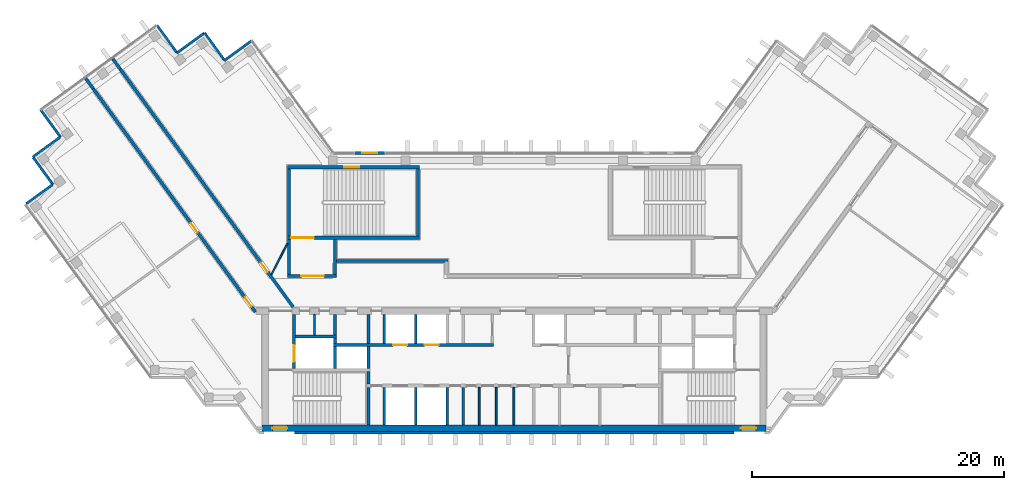
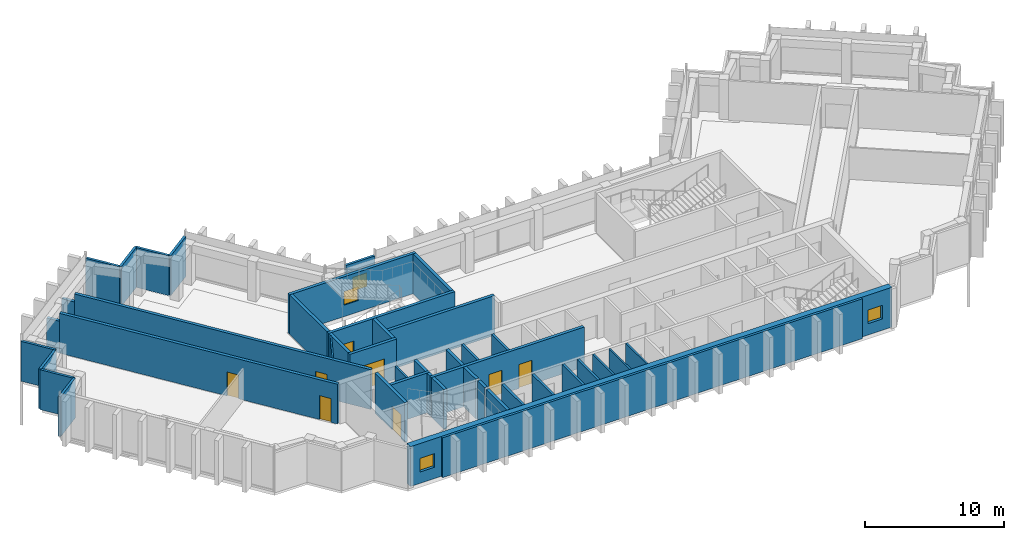
# One storey, part 8 of 13: 44 walls, 8 doors, 4 windows, 12 openings.
"""IFC4 building model written with IfcOpenShell, lengths in metres."""

import ifcopenshell
import ifcopenshell.guid

model = None  # the IFC model being written
_history = None  # IfcOwnerHistory: only IFC2X3 demands one
_inside = {}  # id of a spatial element -> (the spatial element, [elements in it])
_under = {}  # id of a project, library or spatial element -> (it, [spatial elements below it])
_declared = {}  # id of a project -> (the project, [libraries it declares])
_typed = {}  # id of a type object -> (the type object, [elements of that type])
_made_of = {}  # id of a material, layer set ... -> (it, [elements and type objects made of it])


def new_model(schema):
    """Start an empty IFC model of exactly this schema.

    Asked for "IFC4X3", IfcOpenShell would pick the latest addendum, in which some entities
    have other attributes; the version numbers below select the first issue.
    IFC2X3 requires an IfcOwnerHistory on every rooted entity: one is made here for all.
    """
    global model, _history
    if schema == "IFC4X3":
        model = ifcopenshell.file(schema_version=(4, 3, 0, 0))
    else:
        model = ifcopenshell.file(schema=schema)
    _inside.clear()
    _under.clear()
    _declared.clear()
    _typed.clear()
    _made_of.clear()
    _history = None
    if model.schema == "IFC2X3":
        org = make("IfcOrganization", Name="unknown")
        user = make(
            "IfcPersonAndOrganization",
            ThePerson=make("IfcPerson", FamilyName="unknown"),
            TheOrganization=org,
        )
        app = make(
            "IfcApplication",
            ApplicationDeveloper=org,
            Version="unknown",
            ApplicationFullName="unknown",
            ApplicationIdentifier="unknown",
        )
        _history = make(
            "IfcOwnerHistory",
            OwningUser=user,
            OwningApplication=app,
            ChangeAction="ADDED",
            CreationDate=0,
        )
    return model


def make(cls, **values):
    """One entity of the class cls with the attributes given. An attribute that is None is left unset."""
    return model.create_entity(
        cls, **{name: value for name, value in values.items() if value is not None}
    )


def rooted(cls, **values):
    """An entity with a GlobalId (a new one), such as an element, a storey or a relation."""
    return make(cls, GlobalId=ifcopenshell.guid.new(), OwnerHistory=_history, **values)


def si_unit(unit_type, name, prefix=None):
    """IfcSIUnit, for example si_unit("LENGTHUNIT", "METRE", prefix="MILLI")."""
    return make("IfcSIUnit", UnitType=unit_type, Prefix=prefix, Name=name)


def assignment(units):
    """IfcUnitAssignment: the units of a project."""
    return None if units is None else make("IfcUnitAssignment", Units=units)


def point(xyz):
    """IfcCartesianPoint."""
    return None if xyz is None else make("IfcCartesianPoint", Coordinates=xyz)


def direction(xyz):
    """IfcDirection."""
    return None if xyz is None else make("IfcDirection", DirectionRatios=xyz)


def frame(location, z_axis=None, x_axis=None):
    """IfcAxis2Placement3D, a coordinate frame: its origin and axes. An axis left out is left unset."""
    return make(
        "IfcAxis2Placement3D",
        Location=point(location),
        Axis=direction(z_axis),
        RefDirection=direction(x_axis),
    )


def frame_2d(location, x_axis=None):
    """IfcAxis2Placement2D, a coordinate frame in the plane: its origin and x axis."""
    return make(
        "IfcAxis2Placement2D", Location=point(location), RefDirection=direction(x_axis)
    )


def origin():
    """The frame at (0, 0, 0) with its axes left unset."""
    return frame((0.0, 0.0, 0.0))


def place(relative_to, where):
    """IfcLocalPlacement: puts the frame where relative to a parent placement (None: the world)."""
    return make(
        "IfcLocalPlacement", PlacementRelTo=relative_to, RelativePlacement=where
    )


def context(
    kind, dimensions, precision=None, world=None, true_north=None, identifier=None
):
    """IfcGeometricRepresentationContext, for example the 3D "Model" context."""
    return make(
        "IfcGeometricRepresentationContext",
        ContextIdentifier=identifier,
        ContextType=kind,
        CoordinateSpaceDimension=dimensions,
        Precision=precision,
        WorldCoordinateSystem=world,
        TrueNorth=true_north,
    )


def subcontext(parent, identifier, kind, view, scale=None):
    """IfcGeometricRepresentationSubContext, for example "Body" below "Model"."""
    return make(
        "IfcGeometricRepresentationSubContext",
        ContextIdentifier=identifier,
        ContextType=kind,
        ParentContext=parent,
        TargetScale=scale,
        TargetView=view,
    )


def project(units=None, contexts=None):
    """IfcProject with its units and contexts."""
    return rooted(
        "IfcProject",
        Name="project",
        RepresentationContexts=contexts,
        UnitsInContext=assignment(units),
    )


def spatial(cls, under=None, at=None, **own):
    """A site, building, storey or space (cls), placed at a placement, below another one or the project."""
    s = rooted(cls, ObjectPlacement=at, **own)
    if under is not None:
        _under.setdefault(under.id(), (under, []))[1].append(s)
    return s


def profile(cls, at=None, kind="AREA", **sizes):
    """A parametric profile (cls). Its sizes go by their IFC names, for example OverallWidth=200.0."""
    return make(cls, ProfileType=kind, Position=at, **sizes)


def rectangle(**sizes):
    """IfcRectangleProfileDef."""
    return profile("IfcRectangleProfileDef", **sizes)


def extrude(swept, where, along, depth):
    """IfcExtrudedAreaSolid: the profile swept, set in the frame where, extruded along a direction by depth."""
    return make(
        "IfcExtrudedAreaSolid",
        SweptArea=swept,
        Position=where,
        ExtrudedDirection=direction(along),
        Depth=depth,
    )


def shape(context_of_items, identifier, shape_type, items):
    """IfcShapeRepresentation: the items that make up one representation, for example the "Body"."""
    return make(
        "IfcShapeRepresentation",
        ContextOfItems=context_of_items,
        RepresentationIdentifier=identifier,
        RepresentationType=shape_type,
        Items=items,
    )


def material(Name=None, Category=None):
    """IfcMaterial."""
    return make("IfcMaterial", Name=Name, Category=Category)


def layer(
    of_material, thickness, ventilated=None, Name=None, Category=None, Priority=None
):
    """IfcMaterialLayer: one layer of a wall or slab, of a material (None: an air gap)."""
    return make(
        "IfcMaterialLayer",
        Material=of_material,
        LayerThickness=thickness,
        IsVentilated=ventilated,
        Name=Name,
        Category=Category,
        Priority=Priority,
    )


def layer_set(layers, Name=None):
    """IfcMaterialLayerSet."""
    return make("IfcMaterialLayerSet", MaterialLayers=layers, LayerSetName=Name)


def made_of(thing, what):
    """Note that an element or type object is made of a material, layer set ...; save() writes the relation."""
    if what is not None:
        _made_of.setdefault(what.id(), (what, []))[1].append(thing)
    return thing


def type_object(cls, material=None, **own):
    """A type object (cls), such as IfcWallType, which elements share."""
    return made_of(rooted(cls, **own), material)


def element(
    cls,
    number,
    at=None,
    inside=None,
    cuts=None,
    type_object=None,
    material=None,
    context=None,
    identifier="Body",
    shape_type=None,
    held_by="IfcProductDefinitionShape",
    body=None,
    shapes=None,
    **own,
):
    """One element of the class cls, such as IfcWall. Its Tag is "e" and its number.

    at: its placement. inside: the storey or other place that contains it. cuts: it is an
    opening in that element (IfcRelVoidsElement). A single representation is given by context,
    identifier, shape_type and body (its items); several are given by shapes. held_by: the class
    of the entity that holds the representations. save() writes the other relations.
    """
    e = rooted(cls, Tag="e%d" % number, ObjectPlacement=at, **own)
    if body is not None:
        shapes = [shape(context, identifier, shape_type, body)]
    if shapes is not None:
        e.Representation = make(held_by, Representations=shapes)
    if inside is not None:
        _inside.setdefault(inside.id(), (inside, []))[1].append(e)
    if cuts is not None:
        rooted(
            "IfcRelVoidsElement", RelatingBuildingElement=cuts, RelatedOpeningElement=e
        )
    if type_object is not None:
        _typed.setdefault(type_object.id(), (type_object, []))[1].append(e)
    return made_of(e, material)


def fill(opening, filler):
    """IfcRelFillsElement: the door or window that sits in an opening."""
    return rooted(
        "IfcRelFillsElement",
        RelatingOpeningElement=opening,
        RelatedBuildingElement=filler,
    )


def aggregate(whole, parts):
    """IfcRelAggregates: a whole, such as a stair, and the parts it consists of."""
    return rooted("IfcRelAggregates", RelatingObject=whole, RelatedObjects=parts)


def save(model, path):
    """Write the relations noted so far, then the file.

    IfcRelAggregates (storeys below a building ...), IfcRelContainedInSpatialStructure (elements
    in a storey), IfcRelDefinesByType, IfcRelAssociatesMaterial and IfcRelDeclares: one each for
    every whole, place, type object, material and project.
    """
    for whole, parts in _under.values():
        aggregate(whole, parts)
    for where, things in _inside.values():
        rooted(
            "IfcRelContainedInSpatialStructure",
            RelatedElements=things,
            RelatingStructure=where,
        )
    for kind, things in _typed.values():
        rooted("IfcRelDefinesByType", RelatedObjects=things, RelatingType=kind)
    for what, things in _made_of.values():
        rooted("IfcRelAssociatesMaterial", RelatedObjects=things, RelatingMaterial=what)
    for by, libraries in _declared.values():
        rooted("IfcRelDeclares", RelatingContext=by, RelatedDefinitions=libraries)
    model.write(path)


model = new_model("IFC4")

# Units and contexts
model_context = context("Model", 3, precision=1e-05, world=origin(), true_north=direction((0.0, 1.0)))
body_context = subcontext(model_context, "Body", "Model", "MODEL_VIEW")
ifc_project = project(units=[si_unit("LENGTHUNIT", "METRE"), si_unit("AREAUNIT", "SQUARE_METRE"), si_unit("VOLUMEUNIT", "CUBIC_METRE"), si_unit("PLANEANGLEUNIT", "RADIAN"), si_unit("MASSUNIT", "GRAM", prefix="KILO")], contexts=[model_context])

# Site, building, storey
site_placement = place(None, origin())
site = spatial("IfcSite", under=ifc_project, at=site_placement, CompositionType="ELEMENT")
building_placement = place(site_placement, origin())
building = spatial("IfcBuilding", under=site, at=building_placement, Name="Quipu Civic Tower", CompositionType="ELEMENT")
storey_placement = place(building_placement, frame((0.0, 0.0, 269.0)))
storey = spatial("IfcBuildingStorey", under=building, at=storey_placement, Name="L63", CompositionType="ELEMENT", Elevation=269.0)

# Walls
ifc_material_1 = material(Name="Concrete C70/85", Category="concrete")
ifc_layer_1 = layer(ifc_material_1, 0.25)
ifc_layer_set_1 = layer_set([ifc_layer_1], Name="Concrete C70/85")
wall_type_1 = type_object("IfcWallType", Name="Core wall 250", PredefinedType="SHEAR", material=ifc_layer_set_1)
wall_1_placement = place(storey_placement, frame((-11.574951171875, -10.5, 0.0), z_axis=(0.0, 0.0, 1.0), x_axis=(0.0, 1.0, 0.0)))
element("IfcWall", 1, at=wall_1_placement, inside=storey, type_object=wall_type_1, Name="Core wall", PredefinedType="SHEAR", context=body_context, shape_type="SweptSolid", body=[
    extrude(rectangle(XDim=3.0, YDim=0.25, at=frame_2d((1.5, 0.0))), origin(), (0.0, 0.0, 1.0), 3.5),
])
wall_2_placement = place(storey_placement, frame((-11.574951171875, -7.25, 0.0), z_axis=(0.0, 0.0, 1.0), x_axis=(0.0, 1.0, 0.0)))
element("IfcWall", 2, at=wall_2_placement, inside=storey, type_object=wall_type_1, Name="Core wall", PredefinedType="SHEAR", context=body_context, shape_type="SweptSolid", body=[
    extrude(rectangle(XDim=1.0, YDim=0.25, at=frame_2d((0.5, 0.0))), origin(), (0.0, 0.0, 1.0), 3.5),
])

# Wall, opening, door
wall_3_placement = place(storey_placement, frame((-17.47509765625, -6.0, 0.0), z_axis=(0.0, 0.0, 1.0), x_axis=(0.0, 1.0, 0.0)))
wall_3 = element("IfcWall", 3, at=wall_3_placement, inside=storey, type_object=wall_type_1, Name="Core wall", PredefinedType="SHEAR", context=body_context, shape_type="SweptSolid", body=[
    extrude(rectangle(XDim=4.300048828125, YDim=0.25, at=frame_2d((2.14990234375, 0.0))), origin(), (0.0, 0.0, 1.0), 3.5),
])
opening_1_placement = place(wall_3_placement, frame((0.550048828125, 0.0, 0.0)))
opening_1 = element("IfcOpeningElement", 4, at=opening_1_placement, cuts=wall_3, Name="Opening LD-FF1", PredefinedType="OPENING", context=body_context, shape_type="SweptSolid", body=[
    extrude(rectangle(XDim=1.300048828125, YDim=2.10009765625, at=frame_2d((0.64990234375, 1.050048828125))), frame((0.0, 0.135009765625, 0.0), z_axis=(0.0, -1.0, 0.0), x_axis=(1.0, 0.0, 0.0)), (0.0, 0.0, 1.0), 0.27001953125),
])
ifc_material_2 = material(Name="Stainless steel", Category="steel")
door_type_1 = type_object("IfcDoorType", Name="Lift landing door 1300 x 2100", OperationType="DOUBLE_DOOR_SLIDING", PredefinedType="DOOR", material=ifc_material_2)
door_1_placement = place(opening_1_placement, origin())
door_1 = element("IfcDoor", 5, at=door_1_placement, inside=storey, type_object=door_type_1, Name="Landing door FF1", OperationType="DOUBLE_DOOR_SLIDING", OverallHeight=2.10009765625, OverallWidth=1.300048828125, PredefinedType="DOOR", context=body_context, shape_type="SweptSolid", body=[
    extrude(rectangle(XDim=1.300048828125, YDim=2.10009765625, at=frame_2d((0.64990234375, 1.050048828125))), frame((0.0, 0.02490234375, 0.0), z_axis=(0.0, -1.0, 0.0), x_axis=(1.0, 0.0, 0.0)), (0.0, 0.0, 1.0), 0.050048828125),
])
fill(opening_1, door_1)

# Walls
for number, where, z_axis, x_axis, name in (
    (6, (-14.22509765625, -6.0, 0.0), (0.0, 0.0, 1.0), (0.0, 1.0, 0.0), "Core wall"),
    (7, (-11.574951171875, -6.0, 0.0), (0.0, 0.0, 1.0), (0.0, 1.0, 0.0), "Core wall"),
):
    element("IfcWall", number, at=place(storey_placement, frame(where, z_axis=z_axis, x_axis=x_axis)), inside=storey, type_object=wall_type_1, Name=name, PredefinedType="SHEAR", context=body_context, shape_type="SweptSolid", body=[
        extrude(rectangle(XDim=1.75, YDim=0.25, at=frame_2d((0.875, 0.0))), origin(), (0.0, 0.0, 1.0), 3.5),
    ])

# Wall, openings, doors
wall_4_placement = place(storey_placement, frame((-14.35009765625, -4.125, 0.0), z_axis=(0.0, 0.0, 1.0), x_axis=(1.0, 0.0, 0.0)))
wall_4 = element("IfcWall", 8, at=wall_4_placement, inside=storey, type_object=wall_type_1, Name="Core wall", PredefinedType="SHEAR", context=body_context, shape_type="SweptSolid", body=[
    extrude(rectangle(XDim=12.7001953125, YDim=0.25, at=frame_2d((6.35009765625, 0.0))), origin(), (0.0, 0.0, 1.0), 3.5),
])
opening_2_placement = place(wall_4_placement, frame((4.75, 0.0, 0.0)))
opening_2 = element("IfcOpeningElement", 9, at=opening_2_placement, cuts=wall_4, Name="Opening LD-HL3", PredefinedType="OPENING", context=body_context, shape_type="SweptSolid", body=[
    extrude(rectangle(XDim=1.10009765625, YDim=2.10009765625, at=frame_2d((0.550048828125, 1.050048828125))), frame((0.0, 0.135009765625, 0.0), z_axis=(0.0, -1.0, 0.0), x_axis=(1.0, 0.0, 0.0)), (0.0, 0.0, 1.0), 0.27001953125),
])
opening_3_placement = place(wall_4_placement, frame((7.25, 0.0, 0.0)))
opening_3 = element("IfcOpeningElement", 10, at=opening_3_placement, cuts=wall_4, Name="Opening LD-HL4", PredefinedType="OPENING", context=body_context, shape_type="SweptSolid", body=[
    extrude(rectangle(XDim=1.10009765625, YDim=2.10009765625, at=frame_2d((0.550048828125, 1.050048828125))), frame((0.0, 0.135009765625, 0.0), z_axis=(0.0, -1.0, 0.0), x_axis=(1.0, 0.0, 0.0)), (0.0, 0.0, 1.0), 0.27001953125),
])
ifc_material_3 = material(Name="Stainless steel", Category="steel")
door_type_2 = type_object("IfcDoorType", Name="Lift landing door 1100 x 2100", OperationType="DOUBLE_DOOR_SLIDING", PredefinedType="DOOR", material=ifc_material_3)
door_2_placement = place(opening_2_placement, origin())
door_2 = element("IfcDoor", 11, at=door_2_placement, inside=storey, type_object=door_type_2, Name="Landing door HL3", OperationType="DOUBLE_DOOR_SLIDING", OverallHeight=2.10009765625, OverallWidth=1.10009765625, PredefinedType="DOOR", context=body_context, shape_type="SweptSolid", body=[
    extrude(rectangle(XDim=1.10009765625, YDim=2.10009765625, at=frame_2d((0.550048828125, 1.050048828125))), frame((0.0, 0.02490234375, 0.0), z_axis=(0.0, -1.0, 0.0), x_axis=(1.0, 0.0, 0.0)), (0.0, 0.0, 1.0), 0.050048828125),
])
fill(opening_2, door_2)
door_3_placement = place(opening_3_placement, origin())
door_3 = element("IfcDoor", 12, at=door_3_placement, inside=storey, type_object=door_type_2, Name="Landing door HL4", OperationType="DOUBLE_DOOR_SLIDING", OverallHeight=2.10009765625, OverallWidth=1.10009765625, PredefinedType="DOOR", context=body_context, shape_type="SweptSolid", body=[
    extrude(rectangle(XDim=1.10009765625, YDim=2.10009765625, at=frame_2d((0.550048828125, 1.050048828125))), frame((0.0, 0.02490234375, 0.0), z_axis=(0.0, -1.0, 0.0), x_axis=(1.0, 0.0, 0.0)), (0.0, 0.0, 1.0), 0.050048828125),
])
fill(opening_3, door_3)

# Walls
wall_5_placement = place(storey_placement, frame((-14.22509765625, -4.0, 0.0), z_axis=(0.0, 0.0, 1.0), x_axis=(0.0, 1.0, 0.0)))
element("IfcWall", 13, at=wall_5_placement, inside=storey, type_object=wall_type_1, Name="Core wall", PredefinedType="SHEAR", context=body_context, shape_type="SweptSolid", body=[
    extrude(rectangle(XDim=0.39990234375, YDim=0.25, at=frame_2d((0.199951171875, 0.0))), origin(), (0.0, 0.0, 1.0), 3.5),
])
wall_6_placement = place(storey_placement, frame((-11.574951171875, -4.0, 0.0), z_axis=(0.0, 0.0, 1.0), x_axis=(0.0, 1.0, 0.0)))
element("IfcWall", 14, at=wall_6_placement, inside=storey, type_object=wall_type_1, Name="Core wall", PredefinedType="SHEAR", context=body_context, shape_type="SweptSolid", body=[
    extrude(rectangle(XDim=2.300048828125, YDim=0.25, at=frame_2d((1.14990234375, 0.0))), origin(), (0.0, 0.0, 1.0), 3.5),
])
wall_7_placement = place(storey_placement, frame((-17.35009765625, -3.47509765625, 0.0), z_axis=(0.0, 0.0, 1.0), x_axis=(1.0, 0.0, 0.0)))
element("IfcWall", 15, at=wall_7_placement, inside=storey, type_object=wall_type_1, Name="Core wall", PredefinedType="SHEAR", context=body_context, shape_type="SweptSolid", body=[
    extrude(rectangle(XDim=3.25, YDim=0.25, at=frame_2d((1.625, 0.0))), origin(), (0.0, 0.0, 1.0), 3.5),
])
wall_8_placement = place(storey_placement, frame((-14.22509765625, -3.35009765625, 0.0), z_axis=(0.0, 0.0, 1.0), x_axis=(0.0, 1.0, 0.0)))
element("IfcWall", 16, at=wall_8_placement, inside=storey, type_object=wall_type_1, Name="Core wall", PredefinedType="SHEAR", context=body_context, shape_type="SweptSolid", body=[
    extrude(rectangle(XDim=1.650146484375, YDim=0.25, at=frame_2d((0.8251953125, 0.0))), origin(), (0.0, 0.0, 1.0), 3.5),
])

# Wall, opening, door
wall_9_placement = place(storey_placement, frame((-18.0, 1.324951171875, 0.0), z_axis=(0.0, 0.0, 1.0), x_axis=(1.0, 0.0, 0.0)))
wall_9 = element("IfcWall", 17, at=wall_9_placement, inside=storey, type_object=wall_type_1, Name="Core wall", PredefinedType="SHEAR", context=body_context, shape_type="SweptSolid", body=[
    extrude(rectangle(XDim=3.89990234375, YDim=0.25, at=frame_2d((1.949951171875, 0.0))), origin(), (0.0, 0.0, 1.0), 3.5),
])
opening_4_placement = place(wall_9_placement, frame((1.10009765625, 0.0, 0.0)))
opening_4 = element("IfcOpeningElement", 18, at=opening_4_placement, cuts=wall_9, Name="Opening CD-26", PredefinedType="OPENING", context=body_context, shape_type="SweptSolid", body=[
    extrude(rectangle(XDim=1.800048828125, YDim=2.10009765625, at=frame_2d((0.89990234375, 1.050048828125))), frame((0.0, 0.135009765625, 0.0), z_axis=(0.0, -1.0, 0.0), x_axis=(1.0, 0.0, 0.0)), (0.0, 0.0, 1.0), 0.27001953125),
])
ifc_material_4 = material(Name="Fire rated steel door", Category="steel")
door_type_3 = type_object("IfcDoorType", Name="Fire door FD90 double 1800 x 2100", OperationType="NOTDEFINED", PredefinedType="DOOR", material=ifc_material_4)
door_4_placement = place(opening_4_placement, origin())
door_4 = element("IfcDoor", 19, at=door_4_placement, inside=storey, type_object=door_type_3, Name="Lobby door", OperationType="DOUBLE_DOOR_SINGLE_SWING", OverallHeight=2.10009765625, OverallWidth=1.800048828125, PredefinedType="DOOR", context=body_context, shape_type="SweptSolid", body=[
    extrude(rectangle(XDim=1.800048828125, YDim=2.10009765625, at=frame_2d((0.89990234375, 1.050048828125))), frame((0.0, 0.02490234375, 0.0), z_axis=(0.0, -1.0, 0.0), x_axis=(1.0, 0.0, 0.0)), (0.0, 0.0, 1.0), 0.050048828125),
])
fill(opening_4, door_4)

# Walls
for number, where, z_axis, x_axis, name in (
    (20, (-17.875, 1.449951171875, 0.0), (0.0, 0.0, 1.0), (0.0, 1.0, 0.0), "Core wall"),
    (21, (-14.22509765625, 1.449951171875, 0.0), (0.0, 0.0, 1.0), (0.0, 1.0, 0.0), "Core wall"),
):
    element("IfcWall", number, at=place(storey_placement, frame(where, z_axis=z_axis, x_axis=x_axis)), inside=storey, type_object=wall_type_1, Name=name, PredefinedType="SHEAR", context=body_context, shape_type="SweptSolid", body=[
        extrude(rectangle(XDim=2.800048828125, YDim=0.25, at=frame_2d((1.39990234375, 0.0))), origin(), (0.0, 0.0, 1.0), 3.5),
    ])

# Wall, opening, door
wall_10_placement = place(storey_placement, frame((-18.0, 4.375, 0.0), z_axis=(0.0, 0.0, 1.0), x_axis=(1.0, 0.0, 0.0)))
wall_10 = element("IfcWall", 22, at=wall_10_placement, inside=storey, type_object=wall_type_1, Name="Core wall", PredefinedType="SHEAR", context=body_context, shape_type="SweptSolid", body=[
    extrude(rectangle(XDim=10.5, YDim=0.25, at=frame_2d((5.25, 0.0))), origin(), (0.0, 0.0, 1.0), 3.5),
])
opening_5_placement = place(wall_10_placement, frame((0.300048828125, 0.0, 0.0)))
opening_5 = element("IfcOpeningElement", 23, at=opening_5_placement, cuts=wall_10, Name="Opening CD-27", PredefinedType="OPENING", context=body_context, shape_type="SweptSolid", body=[
    extrude(rectangle(XDim=1.800048828125, YDim=2.10009765625, at=frame_2d((0.89990234375, 1.050048828125))), frame((0.0, 0.135009765625, 0.0), z_axis=(0.0, -1.0, 0.0), x_axis=(1.0, 0.0, 0.0)), (0.0, 0.0, 1.0), 0.27001953125),
])
door_5_placement = place(opening_5_placement, origin())
door_5 = element("IfcDoor", 24, at=door_5_placement, inside=storey, type_object=door_type_3, Name="Door", OperationType="DOUBLE_DOOR_SINGLE_SWING", OverallHeight=2.10009765625, OverallWidth=1.800048828125, PredefinedType="DOOR", context=body_context, shape_type="SweptSolid", body=[
    extrude(rectangle(XDim=1.800048828125, YDim=2.10009765625, at=frame_2d((0.89990234375, 1.050048828125))), frame((0.0, 0.02490234375, 0.0), z_axis=(0.0, -1.0, 0.0), x_axis=(1.0, 0.0, 0.0)), (0.0, 0.0, 1.0), 0.050048828125),
])
fill(opening_5, door_5)

# Walls
for number, where, z_axis, x_axis, name in (
    (25, (-17.875, 4.5, 0.0), (0.0, 0.0, 1.0), (0.0, 1.0, 0.0), "Core wall"),
    (26, (-7.625, 4.5, 0.0), (0.0, 0.0, 1.0), (0.0, 1.0, 0.0), "Core wall"),
):
    element("IfcWall", number, at=place(storey_placement, frame(where, z_axis=z_axis, x_axis=x_axis)), inside=storey, type_object=wall_type_1, Name=name, PredefinedType="SHEAR", context=body_context, shape_type="SweptSolid", body=[
        extrude(rectangle(XDim=5.35009765625, YDim=0.25, at=frame_2d((2.675048828125, 0.0))), origin(), (0.0, 0.0, 1.0), 3.5),
    ])

# Wall, opening, window
wall_11_placement = place(storey_placement, frame((-18.0, 9.97509765625, 0.0), z_axis=(0.0, 0.0, 1.0), x_axis=(1.0, 0.0, 0.0)))
wall_11 = element("IfcWall", 27, at=wall_11_placement, inside=storey, type_object=wall_type_1, Name="Core wall", PredefinedType="SHEAR", context=body_context, shape_type="SweptSolid", body=[
    extrude(rectangle(XDim=10.5, YDim=0.25, at=frame_2d((5.25, 0.0))), origin(), (0.0, 0.0, 1.0), 3.5),
])
opening_6_placement = place(wall_11_placement, frame((4.5, 0.0, 1.0)))
opening_6 = element("IfcOpeningElement", 28, at=opening_6_placement, cuts=wall_11, Name="Opening SV-3", PredefinedType="OPENING", context=body_context, shape_type="SweptSolid", body=[
    extrude(rectangle(XDim=1.199951171875, YDim=1.199951171875, at=frame_2d((0.60009765625, 0.60009765625))), frame((0.0, 0.135009765625, 0.0), z_axis=(0.0, -1.0, 0.0), x_axis=(1.0, 0.0, 0.0)), (0.0, 0.0, 1.0), 0.27001953125),
])
ifc_material_5 = material(Name="Aluminium louvre", Category="aluminium")
window_type_1 = type_object("IfcWindowType", Name="Stair ventilation louvre 1200 x 1200", PartitioningType="SINGLE_PANEL", PredefinedType="WINDOW", material=ifc_material_5)
window_1_placement = place(opening_6_placement, origin())
window_1 = element("IfcWindow", 29, at=window_1_placement, inside=storey, type_object=window_type_1, Name="Stair ventilation opening", OverallHeight=1.199951171875, OverallWidth=1.199951171875, PartitioningType="SINGLE_PANEL", PredefinedType="WINDOW", context=body_context, shape_type="SweptSolid", body=[
    extrude(rectangle(XDim=1.199951171875, YDim=1.199951171875, at=frame_2d((0.60009765625, 0.60009765625))), frame((0.0, 0.030029296875, 0.0), z_axis=(0.0, -1.0, 0.0), x_axis=(1.0, 0.0, 0.0)), (0.0, 0.0, 1.0), 0.06005859375),
])
fill(opening_6, window_1)

# Wall, openings, windows
ifc_material_6 = material(Name="Concrete C70/85", Category="concrete")
ifc_layer_2 = layer(ifc_material_6, 0.5)
ifc_layer_set_2 = layer_set([ifc_layer_2], Name="Concrete C70/85")
wall_type_2 = type_object("IfcWallType", Name="Core wall 500", PredefinedType="SHEAR", material=ifc_layer_set_2)
wall_12_placement = place(storey_placement, frame((-20.0, -10.75, 0.0), z_axis=(0.0, 0.0, 1.0), x_axis=(1.0, 0.0, 0.0)))
wall_12 = element("IfcWall", 30, at=wall_12_placement, inside=storey, type_object=wall_type_2, Name="Core wall", PredefinedType="SHEAR", context=body_context, shape_type="SweptSolid", body=[
    extrude(rectangle(XDim=40.0, YDim=0.5, at=frame_2d((20.0, 0.0))), origin(), (0.0, 0.0, 1.0), 3.5),
])
opening_7_placement = place(wall_12_placement, frame((0.800048828125, 0.0, 1.0)))
opening_7 = element("IfcOpeningElement", 31, at=opening_7_placement, cuts=wall_12, Name="Opening SV-1", PredefinedType="OPENING", context=body_context, shape_type="SweptSolid", body=[
    extrude(rectangle(XDim=1.199951171875, YDim=1.199951171875, at=frame_2d((0.60009765625, 0.60009765625))), frame((0.0, 0.260009765625, 0.0), z_axis=(0.0, -1.0, 0.0), x_axis=(1.0, 0.0, 0.0)), (0.0, 0.0, 1.0), 0.52001953125),
])
opening_8_placement = place(wall_12_placement, frame((38.0, 0.0, 1.0)))
opening_8 = element("IfcOpeningElement", 32, at=opening_8_placement, cuts=wall_12, Name="Opening SV-2", PredefinedType="OPENING", context=body_context, shape_type="SweptSolid", body=[
    extrude(rectangle(XDim=1.199951171875, YDim=1.199951171875, at=frame_2d((0.60009765625, 0.60009765625))), frame((0.0, 0.260009765625, 0.0), z_axis=(0.0, -1.0, 0.0), x_axis=(1.0, 0.0, 0.0)), (0.0, 0.0, 1.0), 0.52001953125),
])
window_2_placement = place(opening_7_placement, origin())
window_2 = element("IfcWindow", 33, at=window_2_placement, inside=storey, type_object=window_type_1, Name="Stair ventilation opening", OverallHeight=1.199951171875, OverallWidth=1.199951171875, PartitioningType="SINGLE_PANEL", PredefinedType="WINDOW", context=body_context, shape_type="SweptSolid", body=[
    extrude(rectangle(XDim=1.199951171875, YDim=1.199951171875, at=frame_2d((0.60009765625, 0.60009765625))), frame((0.0, 0.030029296875, 0.0), z_axis=(0.0, -1.0, 0.0), x_axis=(1.0, 0.0, 0.0)), (0.0, 0.0, 1.0), 0.06005859375),
])
fill(opening_7, window_2)
window_3_placement = place(opening_8_placement, origin())
window_3 = element("IfcWindow", 34, at=window_3_placement, inside=storey, type_object=window_type_1, Name="Stair ventilation opening", OverallHeight=1.199951171875, OverallWidth=1.199951171875, PartitioningType="SINGLE_PANEL", PredefinedType="WINDOW", context=body_context, shape_type="SweptSolid", body=[
    extrude(rectangle(XDim=1.199951171875, YDim=1.199951171875, at=frame_2d((0.60009765625, 0.60009765625))), frame((0.0, 0.030029296875, 0.0), z_axis=(0.0, -1.0, 0.0), x_axis=(1.0, 0.0, 0.0)), (0.0, 0.0, 1.0), 0.06005859375),
])
fill(opening_8, window_3)

# Wall, openings, doors
ifc_material_7 = material(Name="Concrete C50/60", Category="concrete")
ifc_layer_3 = layer(ifc_material_7, 0.25)
ifc_layer_set_3 = layer_set([ifc_layer_3], Name="Concrete C50/60")
wall_type_3 = type_object("IfcWallType", Name="Corridor wall 250 concrete", PredefinedType="SOLIDWALL", material=ifc_layer_set_3)
wall_13_placement = place(storey_placement, frame((-20.531005859375, -1.5234375, 0.0), z_axis=(0.0, 0.0, 1.0), x_axis=(-0.587786711753, 0.809015934013, 0.0)))
wall_13 = element("IfcWall", 35, at=wall_13_placement, inside=storey, type_object=wall_type_3, Name="Corridor wall C05", PredefinedType="SOLIDWALL", context=body_context, shape_type="SweptSolid", body=[
    extrude(rectangle(XDim=21.911376953125, YDim=0.25, at=frame_2d((10.95556640625, 0.0))), origin(), (0.0, 0.0, 1.0), 3.5),
])
opening_9_placement = place(wall_13_placement, frame((0.53271484375, 0.0, 0.0)))
opening_9 = element("IfcOpeningElement", 36, at=opening_9_placement, cuts=wall_13, Name="Opening D008", PredefinedType="OPENING", context=body_context, shape_type="SweptSolid", body=[
    extrude(rectangle(XDim=0.89990234375, YDim=2.10009765625, at=frame_2d((0.449951171875, 1.050048828125))), frame((0.0, 0.135009765625, 0.0), z_axis=(0.0, -1.0, 0.0), x_axis=(1.0, 0.0, 0.0)), (0.0, 0.0, 1.0), 0.27001953125),
])
opening_10_placement = place(wall_13_placement, frame((7.81591796875, 0.0, 0.0)))
opening_10 = element("IfcOpeningElement", 37, at=opening_10_placement, cuts=wall_13, Name="Opening D007", PredefinedType="OPENING", context=body_context, shape_type="SweptSolid", body=[
    extrude(rectangle(XDim=0.89990234375, YDim=2.10009765625, at=frame_2d((0.449951171875, 1.050048828125))), frame((0.0, 0.135009765625, 0.0), z_axis=(0.0, -1.0, 0.0), x_axis=(1.0, 0.0, 0.0)), (0.0, 0.0, 1.0), 0.27001953125),
])
ifc_material_8 = material(Name="Fire rated timber door set with metal frame", Category="wood")
door_type_4 = type_object("IfcDoorType", Name="Single door 900 x 2100 FD60", OperationType="NOTDEFINED", PredefinedType="DOOR", material=ifc_material_8)
door_6_placement = place(opening_9_placement, origin())
door_6 = element("IfcDoor", 38, at=door_6_placement, inside=storey, type_object=door_type_4, Name="Door D008", OperationType="SINGLE_SWING_LEFT", OverallHeight=2.10009765625, OverallWidth=0.89990234375, PredefinedType="DOOR", context=body_context, shape_type="SweptSolid", body=[
    extrude(rectangle(XDim=0.89990234375, YDim=2.10009765625, at=frame_2d((0.449951171875, 1.050048828125))), frame((0.0, 0.02490234375, 0.0), z_axis=(0.0, -1.0, 0.0), x_axis=(1.0, 0.0, 0.0)), (0.0, 0.0, 1.0), 0.050048828125),
])
fill(opening_9, door_6)
door_7_placement = place(opening_10_placement, origin())
door_7 = element("IfcDoor", 39, at=door_7_placement, inside=storey, type_object=door_type_4, Name="Door D007", OperationType="SINGLE_SWING_LEFT", OverallHeight=2.10009765625, OverallWidth=0.89990234375, PredefinedType="DOOR", context=body_context, shape_type="SweptSolid", body=[
    extrude(rectangle(XDim=0.89990234375, YDim=2.10009765625, at=frame_2d((0.449951171875, 1.050048828125))), frame((0.0, 0.02490234375, 0.0), z_axis=(0.0, -1.0, 0.0), x_axis=(1.0, 0.0, 0.0)), (0.0, 0.0, 1.0), 0.050048828125),
])
fill(opening_10, door_7)

# Wall, opening, door
wall_14_placement = place(storey_placement, frame((-31.266845703125, 17.76171875, 0.0), z_axis=(0.0, 0.0, 1.0), x_axis=(0.587787966774, -0.809015022181, 0.0)))
wall_14 = element("IfcWall", 40, at=wall_14_placement, inside=storey, type_object=wall_type_3, Name="Corridor wall C06", PredefinedType="SOLIDWALL", context=body_context, shape_type="SweptSolid", body=[
    extrude(rectangle(XDim=23.344970703125, YDim=0.25, at=frame_2d((11.67236328125, 0.0))), origin(), (0.0, 0.0, 1.0), 3.5),
])
opening_11_placement = place(wall_14_placement, frame((19.003662109375, 0.0, 0.0)))
opening_11 = element("IfcOpeningElement", 41, at=opening_11_placement, cuts=wall_14, Name="Opening D006", PredefinedType="OPENING", context=body_context, shape_type="SweptSolid", body=[
    extrude(rectangle(XDim=0.89990234375, YDim=2.10009765625, at=frame_2d((0.449951171875, 1.050048828125))), frame((0.0, 0.135009765625, 0.0), z_axis=(0.0, -1.0, 0.0), x_axis=(1.0, 0.0, 0.0)), (0.0, 0.0, 1.0), 0.27001953125),
])
door_8_placement = place(opening_11_placement, origin())
door_8 = element("IfcDoor", 42, at=door_8_placement, inside=storey, type_object=door_type_4, Name="Door D006", OperationType="SINGLE_SWING_RIGHT", OverallHeight=2.10009765625, OverallWidth=0.89990234375, PredefinedType="DOOR", context=body_context, shape_type="SweptSolid", body=[
    extrude(rectangle(XDim=0.89990234375, YDim=2.10009765625, at=frame_2d((0.449951171875, 1.050048828125))), frame((0.0, 0.02490234375, 0.0), z_axis=(0.0, -1.0, 0.0), x_axis=(1.0, 0.0, 0.0)), (0.0, 0.0, 1.0), 0.050048828125),
])
fill(opening_11, door_8)

# Walls
wall_15_placement = place(storey_placement, frame((-14.090087890625, 2.52490234375, 0.0), z_axis=(0.0, 0.0, 1.0), x_axis=(1.0, 0.0, 0.0)))
element("IfcWall", 43, at=wall_15_placement, inside=storey, type_object=wall_type_3, Name="Corridor wall C07", PredefinedType="SOLIDWALL", context=body_context, shape_type="SweptSolid", body=[
    extrude(rectangle(XDim=8.840087890625, YDim=0.25, at=frame_2d((4.419921875, 0.0))), origin(), (0.0, 0.0, 1.0), 3.5),
])
wall_16_placement = place(storey_placement, frame((-33.41015625, 16.203125, 0.0), z_axis=(0.0, 0.0, 1.0), x_axis=(-0.587696850957, 0.809081214326, 0.0)))
element("IfcWall", 44, at=wall_16_placement, inside=storey, type_object=wall_type_3, Name="Corridor wall C05", PredefinedType="SOLIDWALL", context=body_context, shape_type="SweptSolid", body=[
    extrude(rectangle(XDim=1.009033203125, YDim=0.25, at=frame_2d((0.50439453125, 0.0))), origin(), (0.0, 0.0, 1.0), 2.800048828125),
])
wall_17_placement = place(storey_placement, frame((-31.266845703125, 17.76171875, 0.0), z_axis=(0.0, 0.0, 1.0), x_axis=(-0.587840411638, 0.808976915892, 0.0)))
element("IfcWall", 45, at=wall_17_placement, inside=storey, type_object=wall_type_3, Name="Corridor wall C06", PredefinedType="SOLIDWALL", context=body_context, shape_type="SweptSolid", body=[
    extrude(rectangle(XDim=1.008056640625, YDim=0.25, at=frame_2d((0.50390625, 0.0))), origin(), (0.0, 0.0, 1.0), 2.800048828125),
])
ifc_material_9 = material(Name="Gypsum plasterboard on light gauge framing")
ifc_layer_4 = layer(ifc_material_9, 0.1201171875)
ifc_layer_set_4 = layer_set([ifc_layer_4], Name="Gypsum plasterboard on light gauge framing")
wall_type_4 = type_object("IfcWallType", Name="Partition 120 plasterboard", PredefinedType="PARTITIONING", material=ifc_layer_set_4)
wall_18_placement = place(storey_placement, frame((-19.260986328125, 1.449951171875, 0.0), z_axis=(0.0, 0.0, 1.0), x_axis=(0.453950796792, 0.891026752736, 0.0)))
element("IfcWall", 46, at=wall_18_placement, inside=storey, type_object=wall_type_4, Name="Partition P06", PredefinedType="PARTITIONING", context=body_context, shape_type="SweptSolid", body=[
    extrude(rectangle(XDim=2.77783203125, YDim=0.1201171875, at=frame_2d((1.388916015625, 0.0))), origin(), (0.0, 0.0, 1.0), 3.5),
])
ifc_material_10 = material(Name="Gypsum board partition")
ifc_layer_5 = layer(ifc_material_10, 0.14990234375)
ifc_layer_set_5 = layer_set([ifc_layer_5], Name="Gypsum board partition")
wall_type_5 = type_object("IfcWallType", Name="Partition 150", PredefinedType="PARTITIONING", material=ifc_layer_set_5)
for number, where, z_axis, x_axis, name in (
    (47, (-2.77490234375, -10.5, 0.0), (0.0, 0.0, 1.0), (0.0, 1.0, 0.0), "Partition"),
    (48, (-1.425048828125, -10.5, 0.0), (0.0, 0.0, 1.0), (0.0, 1.0, 0.0), "Partition"),
    (49, (-0.02490234375, -10.5, 0.0), (0.0, 0.0, 1.0), (0.0, 1.0, 0.0), "Partition"),
):
    element("IfcWall", number, at=place(storey_placement, frame(where, z_axis=z_axis, x_axis=x_axis)), inside=storey, type_object=wall_type_5, Name=name, PredefinedType="PARTITIONING", context=body_context, shape_type="SweptSolid", body=[
        extrude(rectangle(XDim=3.0, YDim=0.14990234375, at=frame_2d((1.5, 0.0))), origin(), (0.0, 0.0, 1.0), 3.5),
    ])
wall_19_placement = place(storey_placement, frame((-15.85009765625, -3.35009765625, 0.0), z_axis=(0.0, 0.0, 1.0), x_axis=(0.0, 1.0, 0.0)))
element("IfcWall", 50, at=wall_19_placement, inside=storey, type_object=wall_type_5, Name="Partition", PredefinedType="PARTITIONING", context=body_context, shape_type="SweptSolid", body=[
    extrude(rectangle(XDim=1.650146484375, YDim=0.14990234375, at=frame_2d((0.8251953125, 0.0))), origin(), (0.0, 0.0, 1.0), 3.5),
])
ifc_material_11 = material(Name="Precast concrete C40/50", Category="concrete")
wall_type_6 = type_object("IfcWallType", Name="Precast cladding wall", PredefinedType="SOLIDWALL", material=ifc_material_11)
wall_20_placement = place(storey_placement, frame((-36.62939453125, 8.597412109375, 0.0), z_axis=(0.0, 0.0, 1.0), x_axis=(-0.80901210161, -0.587791986546, 0.0)))
element("IfcWall", 51, at=wall_20_placement, inside=storey, type_object=wall_type_6, Name="Precast cladding wall L63 P01", PredefinedType="SOLIDWALL", context=body_context, shape_type="SweptSolid", body=[
    extrude(rectangle(XDim=2.60009765625, YDim=0.199951171875, at=frame_2d((1.300048828125, 0.0))), origin(), (0.0, 0.0, 1.0), 3.5),
])
for number, where, z_axis, x_axis, name in (
    (52, (-36.031982421875, 12.36865234375, 0.0), (0.0, 0.0, 1.0), (-0.809033161865, -0.587762999008, 0.0), "Precast cladding wall L63 P02"),
    (53, (-38.189208984375, 10.7646484375, 0.0), (0.0, 0.0, 1.0), (0.587822180636, -0.808990163075, 0.0), "Precast cladding wall L63 P03"),
):
    element("IfcWall", number, at=place(storey_placement, frame(where, z_axis=z_axis, x_axis=x_axis)), inside=storey, type_object=wall_type_6, Name=name, PredefinedType="SOLIDWALL", context=body_context, shape_type="SweptSolid", body=[
        extrude(rectangle(XDim=2.699951171875, YDim=0.199951171875, at=frame_2d((1.35009765625, 0.0))), origin(), (0.0, 0.0, 1.0), 3.5),
    ])
wall_21_placement = place(storey_placement, frame((-17.44384765625, -11.087890625, 0.0), z_axis=(0.0, 0.0, 1.0), x_axis=(1.0, 0.0, 0.0)))
element("IfcWall", 54, at=wall_21_placement, inside=storey, type_object=wall_type_6, Name="Precast cladding wall L63 P06", PredefinedType="SOLIDWALL", context=body_context, shape_type="SweptSolid", body=[
    extrude(rectangle(XDim=34.8876953125, YDim=0.199951171875, at=frame_2d((17.44384765625, 0.0))), origin(), (0.0, 0.0, 1.0), 3.5),
])

# Wall, opening, window
wall_22_placement = place(storey_placement, frame((-10.263427734375, 11.10009765625, 0.0), z_axis=(0.0, 0.0, 1.0), x_axis=(-1.0, 0.0, 0.0)))
wall_22 = element("IfcWall", 55, at=wall_22_placement, inside=storey, type_object=wall_type_6, Name="Vent surround SF-L62-1", PredefinedType="SOLIDWALL", context=body_context, shape_type="SweptSolid", body=[
    extrude(rectangle(XDim=2.3916015625, YDim=0.199951171875, at=frame_2d((1.19580078125, 0.0))), origin(), (0.0, 0.0, 1.0), 3.5),
])
opening_12_placement = place(wall_22_placement, frame((0.595703125, 0.0, 1.0)))
opening_12 = element("IfcOpeningElement", 56, at=opening_12_placement, cuts=wall_22, Name="Opening SF-L62-1", PredefinedType="OPENING", context=body_context, shape_type="SweptSolid", body=[
    extrude(rectangle(XDim=1.199951171875, YDim=1.199951171875, at=frame_2d((0.60009765625, 0.60009765625))), frame((0.0, 0.10986328125, 0.0), z_axis=(0.0, -1.0, 0.0), x_axis=(1.0, 0.0, 0.0)), (0.0, 0.0, 1.0), 0.219970703125),
])
ifc_material_12 = material(Name="Anodised aluminium louvre", Category="aluminium")
window_type_2 = type_object("IfcWindowType", Name="Stair vent louvre window P3", PartitioningType="SINGLE_PANEL", PredefinedType="WINDOW", material=ifc_material_12)
window_4_placement = place(opening_12_placement, origin())
window_4 = element("IfcWindow", 57, at=window_4_placement, inside=storey, type_object=window_type_2, Name="Stair vent louvre SF-L62-1", OverallHeight=1.199951171875, OverallWidth=1.199951171875, PartitioningType="SINGLE_PANEL", PredefinedType="WINDOW", context=body_context, shape_type="SweptSolid", body=[
    extrude(rectangle(XDim=1.199951171875, YDim=1.199951171875, at=frame_2d((0.60009765625, 0.60009765625))), frame((0.0, 0.030029296875, 0.0), z_axis=(0.0, -1.0, 0.0), x_axis=(1.0, 0.0, 0.0)), (0.0, 0.0, 1.0), 0.06005859375),
])
fill(opening_12, window_4)

# Walls
for number, where, z_axis, x_axis, name in (
    (58, (-20.828857421875, 20.025390625, 0.0), (0.0, 0.0, 1.0), (-0.808990163075, -0.587822180636, 0.0), "Precast cladding wall L63 P30"),
    (59, (-22.996337890625, 18.465576171875, 0.0), (0.0, 0.0, 1.0), (-0.587762999008, 0.809033161865, 0.0), "Precast cladding wall L63 P31"),
):
    element("IfcWall", number, at=place(storey_placement, frame(where, z_axis=z_axis, x_axis=x_axis)), inside=storey, type_object=wall_type_6, Name=name, PredefinedType="SOLIDWALL", context=body_context, shape_type="SweptSolid", body=[
        extrude(rectangle(XDim=2.699951171875, YDim=0.199951171875, at=frame_2d((1.35009765625, 0.0))), origin(), (0.0, 0.0, 1.0), 3.5),
    ])
for number, where, z_axis, x_axis, name in (
    (60, (-24.60009765625, 20.62255859375, 0.0), (0.0, 0.0, 1.0), (-0.809064397168, -0.587720002413, 0.0), "Precast cladding wall L63 P32"),
    (61, (-26.767578125, 19.062744140625, 0.0), (0.0, 0.0, 1.0), (-0.587720002413, 0.809064397168, 0.0), "Precast cladding wall L63 P33"),
):
    element("IfcWall", number, at=place(storey_placement, frame(where, z_axis=z_axis, x_axis=x_axis)), inside=storey, type_object=wall_type_6, Name=name, PredefinedType="SOLIDWALL", context=body_context, shape_type="SweptSolid", body=[
        extrude(rectangle(XDim=2.7001953125, YDim=0.199951171875, at=frame_2d((1.35009765625, 0.0))), origin(), (0.0, 0.0, 1.0), 3.5),
    ])
wall_23_placement = place(storey_placement, frame((-37.591796875, 14.535888671875, 0.0), z_axis=(0.0, 0.0, 1.0), x_axis=(0.587762999008, -0.809033161865, 0.0)))
element("IfcWall", 62, at=wall_23_placement, inside=storey, type_object=wall_type_6, Name="Precast cladding wall L63 P35", PredefinedType="SOLIDWALL", context=body_context, shape_type="SweptSolid", body=[
    extrude(rectangle(XDim=2.699951171875, YDim=0.199951171875, at=frame_2d((1.35009765625, 0.0))), origin(), (0.0, 0.0, 1.0), 3.5),
])
ifc_material_13 = material(Name="Concrete C40/50", Category="concrete")
ifc_layer_6 = layer(ifc_material_13, 0.199951171875)
ifc_layer_set_6 = layer_set([ifc_layer_6], Name="Concrete C40/50")
wall_type_7 = type_object("IfcWallType", Name="Shaft wall 200", PredefinedType="SOLIDWALL", material=ifc_layer_set_6)
for number, where, z_axis, x_axis, name in (
    (63, (-10.300048828125, -10.5, 0.0), (0.0, 0.0, 1.0), (0.0, 1.0, 0.0), "Shaft wall"),
    (64, (-7.800048828125, -10.5, 0.0), (0.0, 0.0, 1.0), (0.0, 1.0, 0.0), "Shaft wall"),
    (65, (-5.300048828125, -10.5, 0.0), (0.0, 0.0, 1.0), (0.0, 1.0, 0.0), "Shaft wall"),
    (66, (-4.050048828125, -10.5, 0.0), (0.0, 0.0, 1.0), (0.0, 1.0, 0.0), "Shaft wall"),
):
    element("IfcWall", number, at=place(storey_placement, frame(where, z_axis=z_axis, x_axis=x_axis)), inside=storey, type_object=wall_type_7, Name=name, PredefinedType="SOLIDWALL", context=body_context, shape_type="SweptSolid", body=[
        extrude(rectangle(XDim=3.0, YDim=0.199951171875, at=frame_2d((1.5, 0.0))), origin(), (0.0, 0.0, 1.0), 3.5),
    ])
for number, where, z_axis, x_axis, name in (
    (67, (-10.300048828125, -4.0, 0.0), (0.0, 0.0, 1.0), (0.0, 1.0, 0.0), "Shaft wall"),
    (68, (-7.800048828125, -4.0, 0.0), (0.0, 0.0, 1.0), (0.0, 1.0, 0.0), "Shaft wall"),
):
    element("IfcWall", number, at=place(storey_placement, frame(where, z_axis=z_axis, x_axis=x_axis)), inside=storey, type_object=wall_type_7, Name=name, PredefinedType="SOLIDWALL", context=body_context, shape_type="SweptSolid", body=[
        extrude(rectangle(XDim=2.300048828125, YDim=0.199951171875, at=frame_2d((1.14990234375, 0.0))), origin(), (0.0, 0.0, 1.0), 3.5),
    ])

save(model, "model.ifc")
